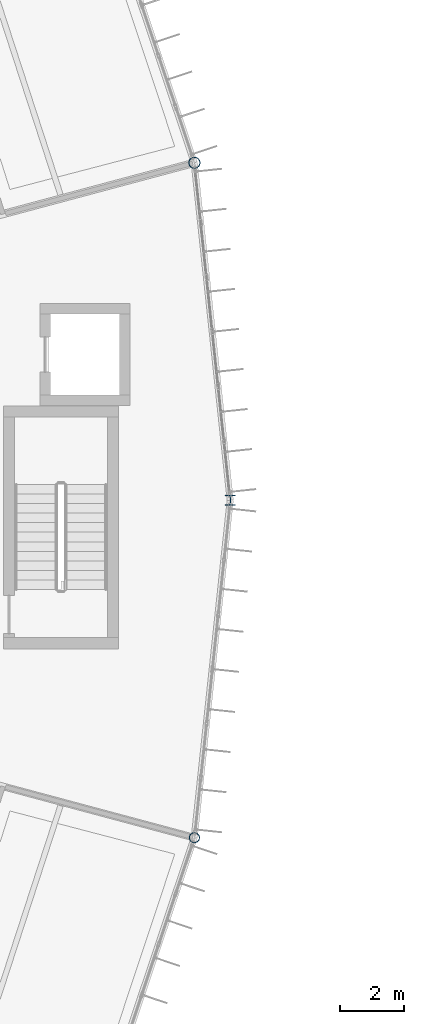
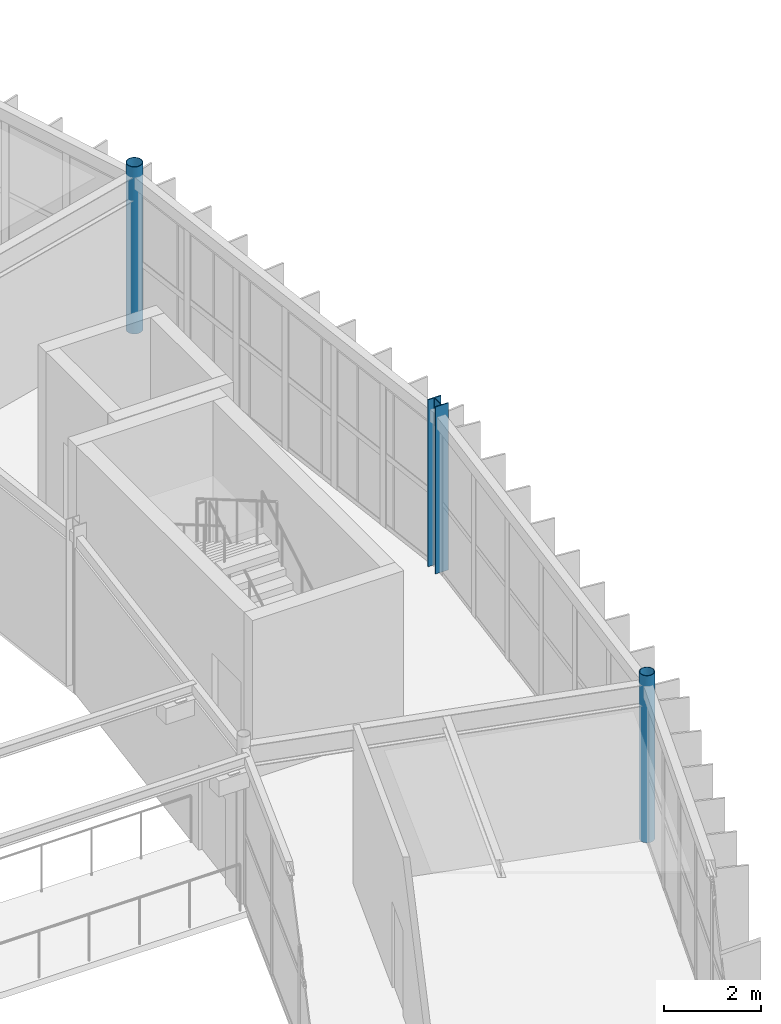
# One storey, part 10 of 148: 3 columns.
"""IFC4 building model written with IfcOpenShell, lengths in metres."""

from ifc_helpers import new_model, si_unit, direction, frame, origin, origin_2d, place, context, subcontext, project, spatial, hollow_circle, i_section, extrude, material, material_profile, profile_set, type_object, element, save


model = new_model("IFC4")

# Units and contexts
model_context = context("Model", 3, precision=1e-05, world=origin(), true_north=direction((0.0, 1.0)))
body_context = subcontext(model_context, "Body", "Model", "MODEL_VIEW")
ifc_project = project(units=[si_unit("LENGTHUNIT", "METRE"), si_unit("AREAUNIT", "SQUARE_METRE"), si_unit("VOLUMEUNIT", "CUBIC_METRE"), si_unit("PLANEANGLEUNIT", "RADIAN"), si_unit("MASSUNIT", "GRAM", prefix="KILO")], contexts=[model_context])

# Site, building, storey
site_placement = place(None, origin())
site = spatial("IfcSite", under=ifc_project, at=site_placement, CompositionType="ELEMENT")
building_placement = place(site_placement, origin())
building = spatial("IfcBuilding", under=site, at=building_placement, Name="Karori Crest Natural Sciences Institute", CompositionType="ELEMENT")
storey_placement = place(building_placement, frame((0.0, 0.0, 4.89990234375)))
storey = spatial("IfcBuildingStorey", under=building, at=storey_placement, Name="L01", CompositionType="ELEMENT", Elevation=4.89990234375)

# Columns
ifc_material_1 = material(Name="Structural steel AS/NZS 3679.1 Grade 350", Category="steel")
ifc_material_profile_1 = material_profile(ifc_material_1, i_section(OverallWidth=0.31103515625, OverallDepth=0.326904296875, WebThickness=0.015625, FlangeThickness=0.02490234375, FilletRadius=0.01708984375, at=origin_2d()), Name="310UC158")
ifc_profile_set_1 = profile_set([ifc_material_profile_1], Name="Structural steel AS/NZS 3679.1 Grade 350")
column_type_1 = type_object("IfcColumnType", Name="CT-04", PredefinedType="COLUMN", material=ifc_profile_set_1)
column_1_placement = place(storey_placement, frame((99.39990234375, 49.89990234375, 0.0), z_axis=(0.0, 0.0, 1.0), x_axis=(1.0, 0.0, 0.0)))
element("IfcColumn", 1, at=column_1_placement, inside=storey, type_object=column_type_1, Name="Column C-0005", PredefinedType="COLUMN", context=body_context, shape_type="SweptSolid", body=[
    extrude(i_section(OverallWidth=0.31103515625, OverallDepth=0.326904296875, WebThickness=0.015625, FlangeThickness=0.02490234375, FilletRadius=0.01708984375, at=origin_2d()), origin(), (0.0, 0.0, 1.0), 4.2001953125),
])
ifc_material_2 = material(Name="Hollow structural steel AS/NZS 1163 Grade C350", Category="steel")
ifc_material_profile_2 = material_profile(ifc_material_2, hollow_circle(Radius=0.177734375, WallThickness=0.0126953125, at=origin_2d()), Name="CHS355.6x12.7")
ifc_profile_set_2 = profile_set([ifc_material_profile_2], Name="Hollow structural steel AS/NZS 1163 Grade C350")
column_type_2 = type_object("IfcColumnType", Name="CT-14", PredefinedType="COLUMN", material=ifc_profile_set_2)
column_2_placement = place(storey_placement, frame((98.275634765625, 60.459716796875, 0.0), z_axis=(0.0, 0.0, 1.0), x_axis=(1.0, 0.0, 0.0)))
element("IfcColumn", 2, at=column_2_placement, inside=storey, type_object=column_type_2, Name="Column C-0023", PredefinedType="COLUMN", context=body_context, shape_type="SweptSolid", body=[
    extrude(hollow_circle(Radius=0.177734375, WallThickness=0.0126953125, at=origin_2d()), origin(), (0.0, 0.0, 1.0), 4.2001953125),
])
ifc_material_profile_3 = material_profile(ifc_material_2, hollow_circle(Radius=0.161865234375, WallThickness=0.0126953125, at=origin_2d()), Name="CHS323.9x12.7")
ifc_profile_set_3 = profile_set([ifc_material_profile_3], Name="Hollow structural steel AS/NZS 1163 Grade C350")
column_type_3 = type_object("IfcColumnType", Name="CT-15", PredefinedType="COLUMN", material=ifc_profile_set_3)
column_3_placement = place(storey_placement, frame((98.275634765625, 39.340087890625, 0.0), z_axis=(0.0, 0.0, 1.0), x_axis=(1.0, 0.0, 0.0)))
element("IfcColumn", 3, at=column_3_placement, inside=storey, type_object=column_type_3, Name="Column C-0383", PredefinedType="COLUMN", context=body_context, shape_type="SweptSolid", body=[
    extrude(hollow_circle(Radius=0.161865234375, WallThickness=0.0126953125, at=origin_2d()), origin(), (0.0, 0.0, 1.0), 4.2001953125),
])

save(model, "model.ifc")
